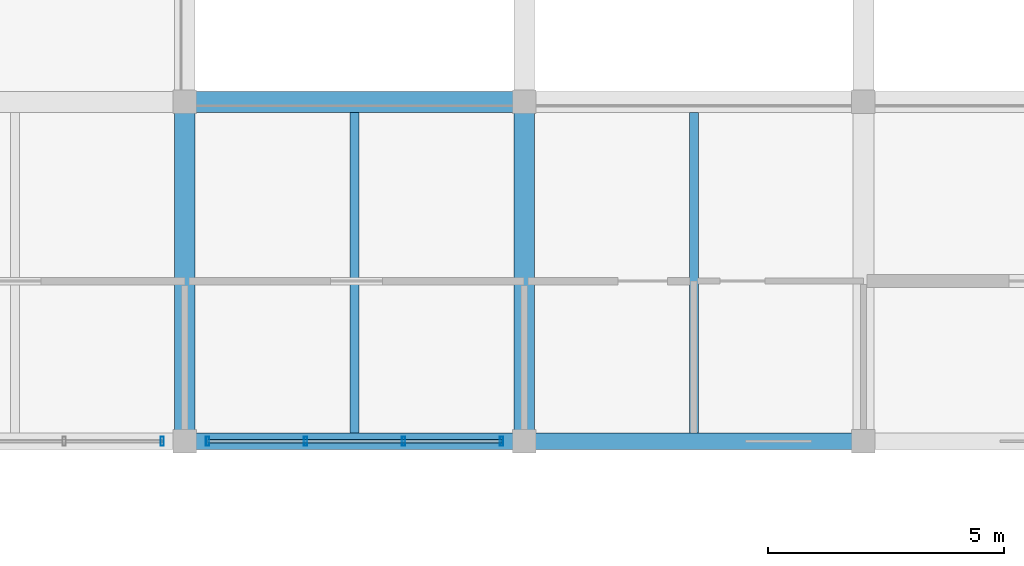
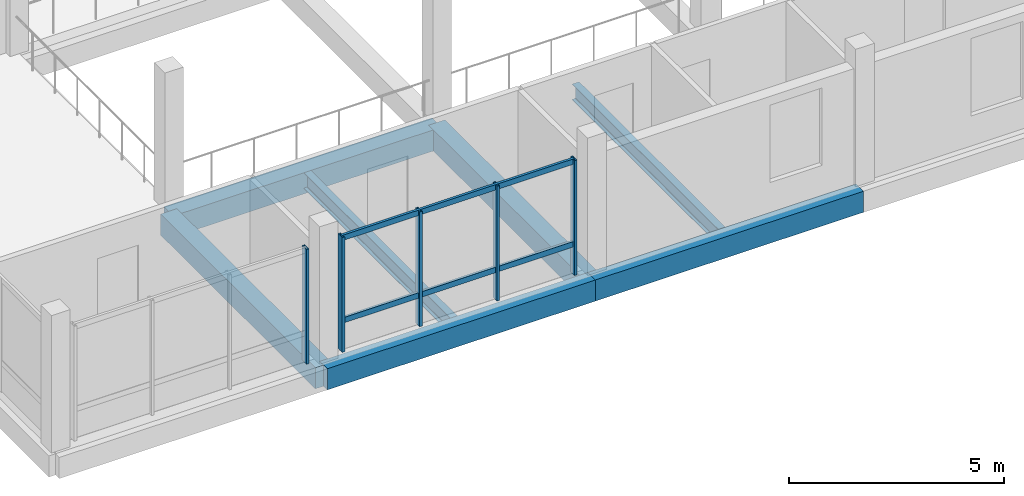
# One storey, part 79 of 128: 7 beams, 7 members, 2 elements without a shape of their own.
"""IFC4 building model written with IfcOpenShell, lengths in metres."""

from ifc_helpers import new_model, si_unit, direction, frame, origin, origin_2d, place, context, subcontext, project, spatial, rectangle, hollow_rectangle, i_section, extrude, material, material_profile, profile_set, type_object, element, aggregate, save


model = new_model("IFC4")

# Units and contexts
model_context = context("Model", 3, precision=1e-05, world=origin(), true_north=direction((0.0, 1.0)))
body_context = subcontext(model_context, "Body", "Model", "MODEL_VIEW")
ifc_project = project(units=[si_unit("LENGTHUNIT", "METRE"), si_unit("AREAUNIT", "SQUARE_METRE"), si_unit("VOLUMEUNIT", "CUBIC_METRE"), si_unit("PLANEANGLEUNIT", "RADIAN"), si_unit("MASSUNIT", "GRAM", prefix="KILO")], contexts=[model_context])

# Site, building, storey
site_placement = place(None, origin())
site = spatial("IfcSite", under=ifc_project, at=site_placement, CompositionType="ELEMENT")
building_placement = place(site_placement, origin())
building = spatial("IfcBuilding", under=site, at=building_placement, Name="Zornivar Specialist Clinic", CompositionType="ELEMENT")
storey_placement = place(building_placement, frame((0.0, 0.0, 4.5)))
storey = spatial("IfcBuildingStorey", under=building, at=storey_placement, Name="L01", CompositionType="ELEMENT", Elevation=4.5)

# Beams
ifc_material_1 = material(Name="Concrete C30/37", Category="concrete")
ifc_material_profile_1 = material_profile(ifc_material_1, rectangle(XDim=0.43994140625, YDim=0.60009765625, at=origin_2d()), Name="RC 440x600")
ifc_profile_set_1 = profile_set([ifc_material_profile_1], Name="Concrete C30/37")
beam_type_1 = type_object("IfcBeamType", Name="BM-RC-440x600", PredefinedType="BEAM", material=ifc_profile_set_1)
for number, where, z_axis, x_axis, name in (
    (1, (129.60009765625, 7.199951171875, -0.56005859375), (1.0, 0.0, 0.0), (0.0, 1.0, 0.0), "bm:V4:L01:x:72:1"),
    (2, (129.60009765625, 0.0, -0.56005859375), (0.0, 1.0, 0.0), (-1.0, 0.0, 0.0), "bm:V4:L01:y:1296:0"),
    (3, (136.800048828125, 0.0, -0.56005859375), (0.0, 1.0, 0.0), (-1.0, 0.0, 0.0), "bm:V4:L01:y:1368:0"),
):
    element("IfcBeam", number, at=place(storey_placement, frame(where, z_axis=z_axis, x_axis=x_axis)), inside=storey, type_object=beam_type_1, Name=name, PredefinedType="BEAM", context=body_context, shape_type="SweptSolid", body=[
        extrude(rectangle(XDim=0.43994140625, YDim=0.60009765625, at=origin_2d()), origin(), (0.0, 0.0, 1.0), 7.199951171875),
    ])
ifc_material_2 = material(Name="Concrete C30/37", Category="concrete")
ifc_material_profile_2 = material_profile(ifc_material_2, rectangle(XDim=0.35009765625, YDim=0.60009765625, at=origin_2d()), Name="RC 350x600")
ifc_profile_set_2 = profile_set([ifc_material_profile_2], Name="Concrete C30/37")
beam_type_2 = type_object("IfcBeamType", Name="BM-RC-SPANDREL-350x600", PredefinedType="SPANDREL", material=ifc_profile_set_2)
for number, where, z_axis, x_axis, name in (
    (4, (129.60009765625, 0.0, -0.56005859375), (1.0, 0.0, 0.0), (0.0, 1.0, 0.0), "bm:V4:L01:x:0:1"),
    (5, (136.800048828125, 0.0, -0.56005859375), (1.0, 0.0, 0.0), (0.0, 1.0, 0.0), "bm:V4:L01:x:0:2"),
):
    element("IfcBeam", number, at=place(storey_placement, frame(where, z_axis=z_axis, x_axis=x_axis)), inside=storey, type_object=beam_type_2, Name=name, PredefinedType="SPANDREL", context=body_context, shape_type="SweptSolid", body=[
        extrude(rectangle(XDim=0.35009765625, YDim=0.60009765625, at=origin_2d()), origin(), (0.0, 0.0, 1.0), 7.199951171875),
    ])
ifc_material_3 = material(Name="Steel S355J2", Category="steel")
ifc_material_profile_3 = material_profile(ifc_material_3, i_section(OverallWidth=0.18994140625, OverallDepth=0.449951171875, WebThickness=0.009521484375, FlangeThickness=0.0146484375, FilletRadius=0.02099609375, at=origin_2d()), Name="IPE 450")
ifc_profile_set_3 = profile_set([ifc_material_profile_3], Name="Steel S355J2")
beam_type_3 = type_object("IfcBeamType", Name="BM-STL-IPE450", PredefinedType="BEAM", material=ifc_profile_set_3)
for number, where, z_axis, x_axis, name in (
    (6, (133.199951171875, 0.175048828125, -0.485107421875), (0.0, 1.0, 0.0), (-1.0, 0.0, 0.0), "bm:V4:L01:gird:1"),
    (7, (140.39990234375, 0.175048828125, -0.485107421875), (0.0, 1.0, 0.0), (-1.0, 0.0, 0.0), "bm:V4:L01:gird:2"),
):
    element("IfcBeam", number, at=place(storey_placement, frame(where, z_axis=z_axis, x_axis=x_axis)), inside=storey, type_object=beam_type_3, Name=name, PredefinedType="BEAM", context=body_context, shape_type="SweptSolid", body=[
        extrude(i_section(OverallWidth=0.18994140625, OverallDepth=0.449951171875, WebThickness=0.009521484375, FlangeThickness=0.0146484375, FilletRadius=0.02099609375, at=origin_2d()), origin(), (0.0, 0.0, 1.0), 6.804931640625),
    ])

# Curtain wall, member
ifc_material_4 = material(Name="Aluminium and Low-E Glass Curtain Wall", Category="aluminium")
curtain_wall_type = type_object("IfcCurtainWallType", Name="CW-WINTERGARDEN", PredefinedType="NOTDEFINED", material=ifc_material_4)
curtain_wall_1_placement = place(storey_placement, origin())
curtain_wall_1 = element("IfcCurtainWall", 8, at=curtain_wall_1_placement, inside=storey, type_object=curtain_wall_type, Name="cw:V4:L01:00", PredefinedType="NOTDEFINED")
ifc_material_5 = material(Name="Aluminium AW-6060", Category="aluminium")
ifc_material_profile_4 = material_profile(ifc_material_5, hollow_rectangle(XDim=0.070068359375, YDim=0.199951171875, WallThickness=0.0048828125, at=origin_2d()), Name="ALU 70x200x5")
ifc_profile_set_4 = profile_set([ifc_material_profile_4], Name="Aluminium AW-6060")
member_type_1 = type_object("IfcMemberType", Name="CWM-MUL-200", PredefinedType="MULLION", material=ifc_profile_set_4)
member_1_placement = place(storey_placement, frame((129.1201171875, 0.0, 0.0), z_axis=(0.0, 0.0, 1.0), x_axis=(1.0, 0.0, 0.0)))
member_1 = element("IfcMember", 9, at=member_1_placement, type_object=member_type_1, Name="cw:V4:L01:00:mul:3", PredefinedType="MULLION", context=body_context, shape_type="SweptSolid", body=[
    extrude(hollow_rectangle(XDim=0.070068359375, YDim=0.199951171875, WallThickness=0.0048828125, at=origin_2d()), origin(), (0.0, 0.0, 1.0), 3.260009765625),
])
aggregate(curtain_wall_1, [member_1])

# Curtain wall, members
curtain_wall_2_placement = place(storey_placement, origin())
curtain_wall_2 = element("IfcCurtainWall", 10, at=curtain_wall_2_placement, inside=storey, type_object=curtain_wall_type, Name="cw:V4:L01:01", PredefinedType="NOTDEFINED")
member_2_placement = place(storey_placement, frame((130.080078125, 0.0, 0.0), z_axis=(0.0, 0.0, 1.0), x_axis=(1.0, 0.0, 0.0)))
member_2 = element("IfcMember", 11, at=member_2_placement, type_object=member_type_1, Name="cw:V4:L01:01:mul:0", PredefinedType="MULLION", context=body_context, shape_type="SweptSolid", body=[
    extrude(hollow_rectangle(XDim=0.070068359375, YDim=0.199951171875, WallThickness=0.0048828125, at=origin_2d()), origin(), (0.0, 0.0, 1.0), 3.260009765625),
])
member_3_placement = place(storey_placement, frame((132.159912109375, 0.0, 0.0), z_axis=(0.0, 0.0, 1.0), x_axis=(1.0, 0.0, 0.0)))
member_3 = element("IfcMember", 12, at=member_3_placement, type_object=member_type_1, Name="cw:V4:L01:01:mul:1", PredefinedType="MULLION", context=body_context, shape_type="SweptSolid", body=[
    extrude(hollow_rectangle(XDim=0.070068359375, YDim=0.199951171875, WallThickness=0.0048828125, at=origin_2d()), origin(), (0.0, 0.0, 1.0), 3.260009765625),
])
member_4_placement = place(storey_placement, frame((134.239990234375, 0.0, 0.0), z_axis=(0.0, 0.0, 1.0), x_axis=(1.0, 0.0, 0.0)))
member_4 = element("IfcMember", 13, at=member_4_placement, type_object=member_type_1, Name="cw:V4:L01:01:mul:2", PredefinedType="MULLION", context=body_context, shape_type="SweptSolid", body=[
    extrude(hollow_rectangle(XDim=0.070068359375, YDim=0.199951171875, WallThickness=0.0048828125, at=origin_2d()), origin(), (0.0, 0.0, 1.0), 3.260009765625),
])
member_5_placement = place(storey_placement, frame((136.320068359375, 0.0, 0.0), z_axis=(0.0, 0.0, 1.0), x_axis=(1.0, 0.0, 0.0)))
member_5 = element("IfcMember", 14, at=member_5_placement, type_object=member_type_1, Name="cw:V4:L01:01:mul:3", PredefinedType="MULLION", context=body_context, shape_type="SweptSolid", body=[
    extrude(hollow_rectangle(XDim=0.070068359375, YDim=0.199951171875, WallThickness=0.0048828125, at=origin_2d()), origin(), (0.0, 0.0, 1.0), 3.260009765625),
])
ifc_material_6 = material(Name="Aluminium AW-6060", Category="aluminium")
ifc_material_profile_5 = material_profile(ifc_material_6, hollow_rectangle(XDim=0.070068359375, YDim=0.155029296875, WallThickness=0.00439453125, at=origin_2d()), Name="ALU 70x155x4.5")
ifc_profile_set_5 = profile_set([ifc_material_profile_5], Name="Aluminium AW-6060")
member_type_2 = type_object("IfcMemberType", Name="CWM-TRN-155", PredefinedType="USERDEFINED", material=ifc_profile_set_5)
member_6_placement = place(storey_placement, frame((130.080078125, 0.0, 0.847900390625), z_axis=(1.0, 0.0, 0.0), x_axis=(0.0, 1.0, 0.0)))
member_6 = element("IfcMember", 15, at=member_6_placement, type_object=member_type_2, Name="cw:V4:L01:01:trn:0", ObjectType="TRANSOM", PredefinedType="USERDEFINED", context=body_context, shape_type="SweptSolid", body=[
    extrude(hollow_rectangle(XDim=0.070068359375, YDim=0.155029296875, WallThickness=0.00439453125, at=origin_2d()), origin(), (0.0, 0.0, 1.0), 6.239990234375),
])
member_7_placement = place(storey_placement, frame((130.080078125, 0.0, 3.195068359375), z_axis=(1.0, 0.0, 0.0), x_axis=(0.0, 1.0, 0.0)))
member_7 = element("IfcMember", 16, at=member_7_placement, type_object=member_type_2, Name="cw:V4:L01:01:trn:1", ObjectType="TRANSOM", PredefinedType="USERDEFINED", context=body_context, shape_type="SweptSolid", body=[
    extrude(hollow_rectangle(XDim=0.070068359375, YDim=0.155029296875, WallThickness=0.00439453125, at=origin_2d()), origin(), (0.0, 0.0, 1.0), 6.239990234375),
])
aggregate(curtain_wall_2, [member_2, member_3, member_4, member_5, member_6, member_7])

save(model, "model.ifc")
